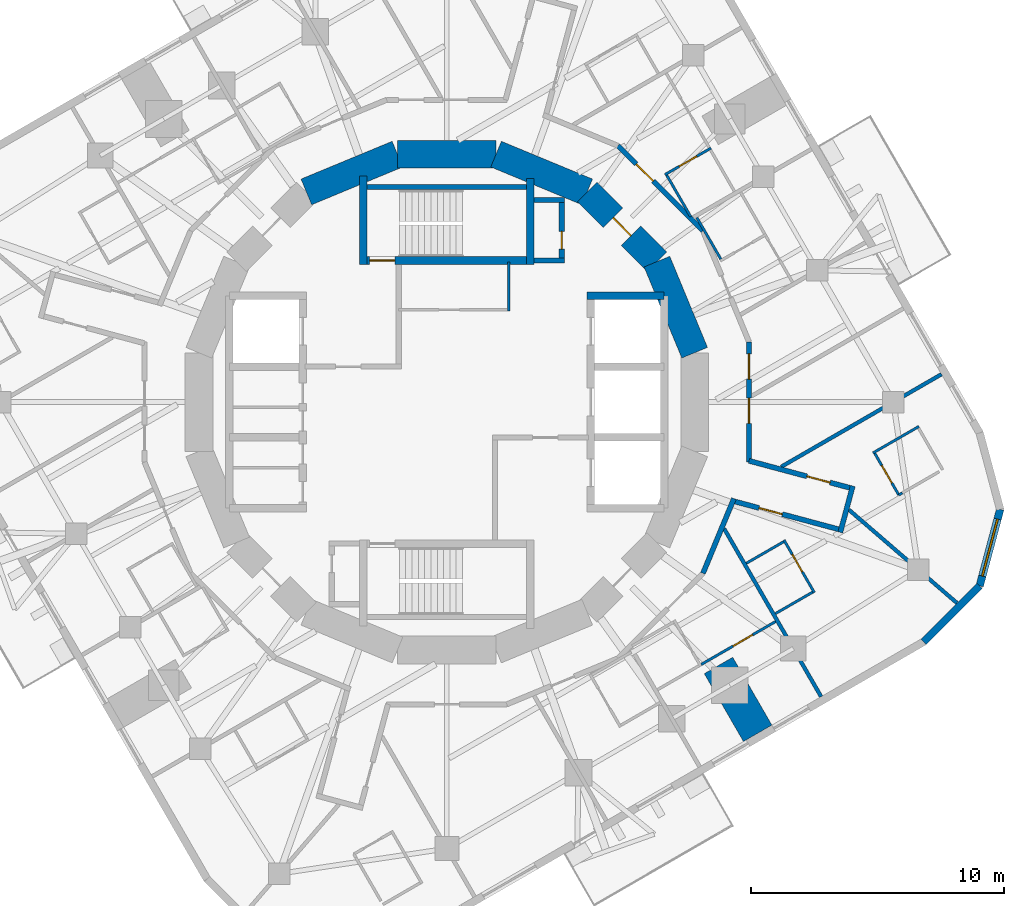
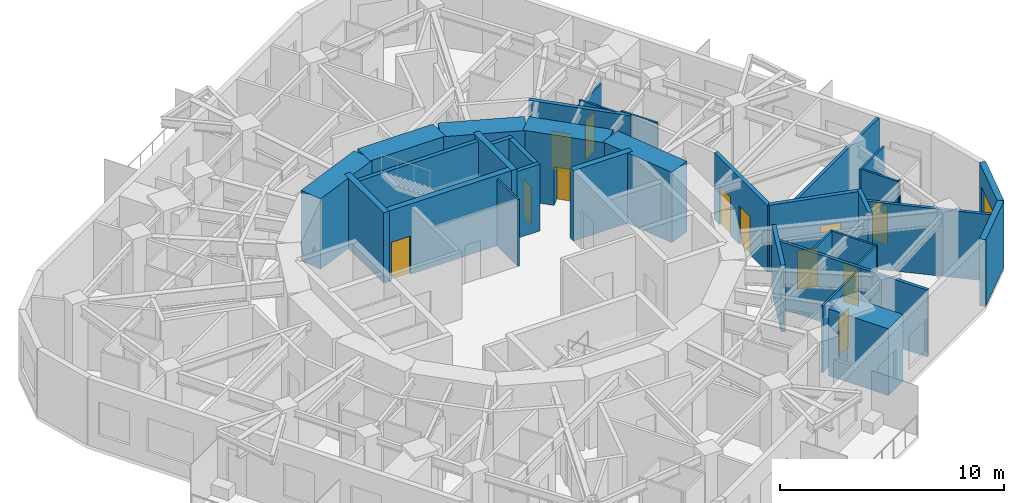
# One storey, part 7 of 11: 36 walls, 12 doors, 1 window, 13 openings.
"""IFC4 building model written with IfcOpenShell, lengths in metres."""

from ifc_helpers import new_model, si_unit, direction, frame, frame_2d, origin, place, context, subcontext, project, spatial, rectangle, extrude, material, layer, layer_set, type_object, element, fill, save


model = new_model("IFC4")

# Units and contexts
model_context = context("Model", 3, precision=1e-05, world=origin(), true_north=direction((0.0, 1.0)))
body_context = subcontext(model_context, "Body", "Model", "MODEL_VIEW")
ifc_project = project(units=[si_unit("LENGTHUNIT", "METRE"), si_unit("AREAUNIT", "SQUARE_METRE"), si_unit("VOLUMEUNIT", "CUBIC_METRE"), si_unit("PLANEANGLEUNIT", "RADIAN"), si_unit("MASSUNIT", "GRAM", prefix="KILO")], contexts=[model_context])

# Site, building, storey
site_placement = place(None, origin())
site = spatial("IfcSite", under=ifc_project, at=site_placement, CompositionType="ELEMENT")
building_placement = place(site_placement, origin())
building = spatial("IfcBuilding", under=site, at=building_placement, Name="Nakasero Lantern House", CompositionType="ELEMENT")
storey_placement = place(building_placement, frame((0.0, 0.0, 230.800048828125)))
storey = spatial("IfcBuildingStorey", under=building, at=storey_placement, Name="L56", CompositionType="ELEMENT", Elevation=230.800048828125)

# Walls
ifc_material_1 = material(Name="Blockwork", Category="masonry")
ifc_layer_1 = layer(ifc_material_1, 1.300048828125)
ifc_layer_set_1 = layer_set([ifc_layer_1], Name="Column pier 1300")
wall_type_1 = type_object("IfcWallType", Name="Column pier 1300", PredefinedType="PARTITIONING", material=ifc_layer_set_1)
wall_1_placement = place(storey_placement, frame((10.75048828125, -10.4208984375, 0.0), z_axis=(0.0, 0.0, 1.0), x_axis=(0.499933790963, -0.866063626216, 0.0)))
element("IfcWall", 1, at=wall_1_placement, inside=storey, type_object=wall_type_1, Name="Column pier L56 PN3-05", PredefinedType="PARTITIONING", context=body_context, shape_type="SweptSolid", body=[
    extrude(rectangle(XDim=3.10009765625, YDim=1.300048828125, at=frame_2d((1.550048828125, 0.0))), origin(), (0.0, 0.0, 1.0), 3.64990234375),
])
ifc_material_2 = material(Name="Concrete C50/60", Category="concrete")
ifc_layer_2 = layer(ifc_material_2, 0.300048828125)
ifc_layer_set_2 = layer_set([ifc_layer_2], Name="Core inner wall 300")
wall_type_2 = type_object("IfcWallType", Name="Core inner wall 300", PredefinedType="SHEAR", material=ifc_layer_set_2)
wall_2_placement = place(storey_placement, frame((5.550048828125, 4.199951171875, 0.0), z_axis=(0.0, 0.0, 1.0), x_axis=(1.0, 0.0, 0.0)))
element("IfcWall", 2, at=wall_2_placement, inside=storey, type_object=wall_type_2, Name="Core inner wall L56 LEN", PredefinedType="SHEAR", context=body_context, shape_type="SweptSolid", body=[
    extrude(rectangle(XDim=3.050048828125, YDim=0.300048828125, at=frame_2d((1.52490234375, 0.0))), origin(), (0.0, 0.0, 1.0), 3.849853515625),
])

# Wall, opening, door
wall_3_placement = place(storey_placement, frame((-3.449951171875, 5.60009765625, 0.0), z_axis=(0.0, 0.0, 1.0), x_axis=(1.0, 0.0, 0.0)))
wall_3 = element("IfcWall", 3, at=wall_3_placement, inside=storey, type_object=wall_type_2, Name="Core inner wall L56 SN", PredefinedType="SHEAR", context=body_context, shape_type="SweptSolid", body=[
    extrude(rectangle(XDim=6.89990234375, YDim=0.300048828125, at=frame_2d((3.449951171875, 0.0))), origin(), (0.0, 0.0, 1.0), 3.849853515625),
])
opening_1_placement = place(wall_3_placement, frame((0.39990234375, 0.0, 0.0)))
opening_1 = element("IfcOpeningElement", 4, at=opening_1_placement, cuts=wall_3, Name="Opening D05", PredefinedType="OPENING", context=body_context, shape_type="SweptSolid", body=[
    extrude(rectangle(XDim=1.0, YDim=2.10009765625, at=frame_2d((0.5, 1.050048828125))), frame((0.0, 0.169921875, 0.0), z_axis=(0.0, -1.0, 0.0), x_axis=(1.0, 0.0, 0.0)), (0.0, 0.0, 1.0), 0.340087890625),
])
ifc_material_3 = material(Name="Timber C24", Category="wood")
door_type_1 = type_object("IfcDoorType", Name="Core door FD60S 1000", OperationType="SINGLE_SWING_LEFT", PredefinedType="DOOR", material=ifc_material_3)
door_1_placement = place(opening_1_placement, origin())
door_1 = element("IfcDoor", 5, at=door_1_placement, inside=storey, type_object=door_type_1, Name="Door L56 D-ST1", OperationType="SINGLE_SWING_LEFT", OverallHeight=2.10009765625, OverallWidth=1.0, PredefinedType="DOOR", context=body_context, shape_type="SweptSolid", body=[
    extrude(rectangle(XDim=1.0, YDim=2.10009765625, at=frame_2d((0.5, 1.050048828125))), frame((0.0, 0.02490234375, 0.0), z_axis=(0.0, -1.0, 0.0), x_axis=(1.0, 0.0, 0.0)), (0.0, 0.0, 1.0), 0.050048828125),
])
fill(opening_1, door_1)

# Walls
wall_4_placement = place(storey_placement, frame((-3.300048828125, 5.449951171875, 0.0), z_axis=(0.0, 0.0, 1.0), x_axis=(0.0, 1.0, 0.0)))
element("IfcWall", 6, at=wall_4_placement, inside=storey, type_object=wall_type_2, Name="Core inner wall L56 SNW", PredefinedType="SHEAR", context=body_context, shape_type="SweptSolid", body=[
    extrude(rectangle(XDim=3.5, YDim=0.300048828125, at=frame_2d((1.75, 0.0))), origin(), (0.0, 0.0, 1.0), 3.849853515625),
])
wall_5_placement = place(storey_placement, frame((3.300048828125, 5.449951171875, 0.0), z_axis=(0.0, 0.0, 1.0), x_axis=(0.0, 1.0, 0.0)))
element("IfcWall", 7, at=wall_5_placement, inside=storey, type_object=wall_type_2, Name="Core inner wall L56 SNE", PredefinedType="SHEAR", context=body_context, shape_type="SweptSolid", body=[
    extrude(rectangle(XDim=3.400146484375, YDim=0.300048828125, at=frame_2d((1.7001953125, 0.0))), origin(), (0.0, 0.0, 1.0), 3.849853515625),
])
ifc_material_4 = material(Name="Blockwork", Category="masonry")
ifc_layer_3 = layer(ifc_material_4, 0.10009765625)
ifc_layer_set_3 = layer_set([ifc_layer_3], Name="Core room wall 100")
wall_type_3 = type_object("IfcWallType", Name="Core room wall 100", PredefinedType="PARTITIONING", material=ifc_layer_set_3)
wall_6_placement = place(storey_placement, frame((2.449951171875, 3.60009765625, 0.0), z_axis=(0.0, 0.0, 1.0), x_axis=(0.0, 1.0, 0.0)))
element("IfcWall", 8, at=wall_6_placement, inside=storey, type_object=wall_type_3, Name="Core room wall L56 CR-NEE", PredefinedType="PARTITIONING", context=body_context, shape_type="SweptSolid", body=[
    extrude(rectangle(XDim=1.949951171875, YDim=0.10009765625, at=frame_2d((0.97509765625, 0.0))), origin(), (0.0, 0.0, 1.0), 3.64990234375),
])
ifc_material_5 = material(Name="Concrete C50/60", Category="concrete")
ifc_layer_4 = layer(ifc_material_5, 1.10009765625)
ifc_layer_set_4 = layer_set([ifc_layer_4], Name="Core wall 1100")
wall_type_4 = type_object("IfcWallType", Name="Core wall 1100", PredefinedType="SHEAR", material=ifc_layer_set_4)
wall_7_placement = place(storey_placement, frame((9.807861328125, 1.950927734375, 0.0), z_axis=(0.0, 0.0, 1.0), x_axis=(-0.382690736062, 0.923876507187, 0.0)))
element("IfcWall", 9, at=wall_7_placement, inside=storey, type_object=wall_type_4, Name="Core wall L56 facet 1", PredefinedType="SHEAR", context=body_context, shape_type="SweptSolid", body=[
    extrude(rectangle(XDim=3.90185546875, YDim=1.10009765625, at=frame_2d((1.950927734375, 0.0))), origin(), (0.0, 0.0, 1.0), 3.849853515625),
])

# Wall, opening, door
wall_8_placement = place(storey_placement, frame((8.314697265625, 5.5556640625, 0.0), z_axis=(0.0, 0.0, 1.0), x_axis=(-0.707106781187, 0.707106781187, 0.0)))
wall_8 = element("IfcWall", 10, at=wall_8_placement, inside=storey, type_object=wall_type_4, Name="Core wall L56 facet 2", PredefinedType="SHEAR", context=body_context, shape_type="SweptSolid", body=[
    extrude(rectangle(XDim=3.90185546875, YDim=1.10009765625, at=frame_2d((1.950927734375, 0.0))), origin(), (0.0, 0.0, 1.0), 3.849853515625),
])
opening_2_placement = place(wall_8_placement, frame((1.450927734375, 0.0, 0.0)))
opening_2 = element("IfcOpeningElement", 11, at=opening_2_placement, cuts=wall_8, Name="Opening D05", PredefinedType="OPENING", context=body_context, shape_type="SweptSolid", body=[
    extrude(rectangle(XDim=1.0, YDim=2.10009765625, at=frame_2d((0.5, 1.050048828125))), frame((0.0, 0.570068359375, 0.0), z_axis=(0.0, -1.0, 0.0), x_axis=(1.0, 0.0, 0.0)), (0.0, 0.0, 1.0), 1.14013671875),
])
door_2_placement = place(opening_2_placement, origin())
door_2 = element("IfcDoor", 12, at=door_2_placement, inside=storey, type_object=door_type_1, Name="Door L56 D-CORE02", OperationType="SINGLE_SWING_LEFT", OverallHeight=2.10009765625, OverallWidth=1.0, PredefinedType="DOOR", context=body_context, shape_type="SweptSolid", body=[
    extrude(rectangle(XDim=1.0, YDim=2.10009765625, at=frame_2d((0.5, 1.050048828125))), frame((0.0, 0.02490234375, 0.0), z_axis=(0.0, -1.0, 0.0), x_axis=(1.0, 0.0, 0.0)), (0.0, 0.0, 1.0), 0.050048828125),
])
fill(opening_2, door_2)

# Walls
for number, where, z_axis, x_axis, name in (
    (13, (5.5556640625, 8.314697265625, 0.0), (0.0, 0.0, 1.0), (-0.923876507187, 0.382690736062, 0.0), "Core wall L56 facet 3"),
    (14, (1.950927734375, 9.807861328125, 0.0), (0.0, 0.0, 1.0), (-1.0, 0.0, 0.0), "Core wall L56 facet 4"),
    (15, (-1.950927734375, 9.807861328125, 0.0), (0.0, 0.0, 1.0), (-0.923876507187, -0.382690736062, 0.0), "Core wall L56 facet 5"),
):
    element("IfcWall", number, at=place(storey_placement, frame(where, z_axis=z_axis, x_axis=x_axis)), inside=storey, type_object=wall_type_4, Name=name, PredefinedType="SHEAR", context=body_context, shape_type="SweptSolid", body=[
        extrude(rectangle(XDim=3.90185546875, YDim=1.10009765625, at=frame_2d((1.950927734375, 0.0))), origin(), (0.0, 0.0, 1.0), 3.849853515625),
    ])

# Wall, openings, doors
ifc_material_6 = material(Name="Blockwork", Category="masonry")
ifc_layer_5 = layer(ifc_material_6, 0.199951171875)
ifc_layer_set_5 = layer_set([ifc_layer_5], Name="Corridor wall 200")
wall_type_5 = type_object("IfcWallType", Name="Corridor wall 200", PredefinedType="PARTITIONING", material=ifc_layer_set_5)
wall_9_placement = place(storey_placement, frame((11.957763671875, 2.378662109375, 0.0), z_axis=(0.0, 0.0, 1.0), x_axis=(0.0, -1.0, 0.0)))
wall_9 = element("IfcWall", 16, at=wall_9_placement, inside=storey, type_object=wall_type_5, Name="Corridor wall L56 RC00a", PredefinedType="PARTITIONING", context=body_context, shape_type="SweptSolid", body=[
    extrude(rectangle(XDim=4.75732421875, YDim=0.199951171875, at=frame_2d((2.378662109375, 0.0))), origin(), (0.0, 0.0, 1.0), 3.64990234375),
])
opening_3_placement = place(wall_9_placement, frame((2.219970703125, 0.0, 0.0)))
opening_3 = element("IfcOpeningElement", 17, at=opening_3_placement, cuts=wall_9, Name="Opening D03", PredefinedType="OPENING", context=body_context, shape_type="SweptSolid", body=[
    extrude(rectangle(XDim=1.0, YDim=2.10009765625, at=frame_2d((0.5, 1.050048828125))), frame((0.0, 0.119873046875, 0.0), z_axis=(0.0, -1.0, 0.0), x_axis=(1.0, 0.0, 0.0)), (0.0, 0.0, 1.0), 0.239990234375),
])
opening_4_placement = place(wall_9_placement, frame((0.469970703125, 0.0, 0.0)))
opening_4 = element("IfcOpeningElement", 18, at=opening_4_placement, cuts=wall_9, Name="Opening D03", PredefinedType="OPENING", context=body_context, shape_type="SweptSolid", body=[
    extrude(rectangle(XDim=1.0, YDim=2.10009765625, at=frame_2d((0.5, 1.050048828125))), frame((0.0, 0.119873046875, 0.0), z_axis=(0.0, -1.0, 0.0), x_axis=(1.0, 0.0, 0.0)), (0.0, 0.0, 1.0), 0.239990234375),
])
ifc_material_7 = material(Name="Timber C24", Category="wood")
door_type_2 = type_object("IfcDoorType", Name="Lounge door FD30S 1000", OperationType="SINGLE_SWING_LEFT", PredefinedType="DOOR", material=ifc_material_7)
door_3_placement = place(opening_3_placement, origin())
door_3 = element("IfcDoor", 19, at=door_3_placement, inside=storey, type_object=door_type_2, Name="Door L56 DK0", OperationType="SINGLE_SWING_RIGHT", OverallHeight=2.10009765625, OverallWidth=1.0, PredefinedType="DOOR", context=body_context, shape_type="SweptSolid", body=[
    extrude(rectangle(XDim=1.0, YDim=2.10009765625, at=frame_2d((0.5, 1.050048828125))), frame((0.0, 0.02490234375, 0.0), z_axis=(0.0, -1.0, 0.0), x_axis=(1.0, 0.0, 0.0)), (0.0, 0.0, 1.0), 0.050048828125),
])
fill(opening_3, door_3)
door_4_placement = place(opening_4_placement, origin())
door_4 = element("IfcDoor", 20, at=door_4_placement, inside=storey, type_object=door_type_2, Name="Door L56 DK0-1", OperationType="SINGLE_SWING_LEFT", OverallHeight=2.10009765625, OverallWidth=1.0, PredefinedType="DOOR", context=body_context, shape_type="SweptSolid", body=[
    extrude(rectangle(XDim=1.0, YDim=2.10009765625, at=frame_2d((0.5, 1.050048828125))), frame((0.0, 0.02490234375, 0.0), z_axis=(0.0, -1.0, 0.0), x_axis=(1.0, 0.0, 0.0)), (0.0, 0.0, 1.0), 0.050048828125),
])
fill(opening_4, door_4)

# Wall
wall_10_placement = place(storey_placement, frame((11.360595703125, -3.820556640625, 0.0), z_axis=(0.0, 0.0, 1.0), x_axis=(-0.382662097458, -0.923888369431, 0.0)))
element("IfcWall", 21, at=wall_10_placement, inside=storey, type_object=wall_type_5, Name="Corridor wall L56 RC01b", PredefinedType="PARTITIONING", context=body_context, shape_type="SweptSolid", body=[
    extrude(rectangle(XDim=3.1962890625, YDim=0.199951171875, at=frame_2d((1.59814453125, 0.0))), origin(), (0.0, 0.0, 1.0), 3.64990234375),
])

# Wall, opening, door
wall_11_placement = place(storey_placement, frame((6.773681640625, 10.137451171875, 0.0), z_axis=(0.0, 0.0, 1.0), x_axis=(0.707106781187, -0.707106781187, 0.0)))
wall_11 = element("IfcWall", 22, at=wall_11_placement, inside=storey, type_object=wall_type_5, Name="Corridor wall L56 RC14a", PredefinedType="PARTITIONING", context=body_context, shape_type="SweptSolid", body=[
    extrude(rectangle(XDim=4.757080078125, YDim=0.199951171875, at=frame_2d((2.37841796875, 0.0))), origin(), (0.0, 0.0, 1.0), 3.64990234375),
])
opening_5_placement = place(wall_11_placement, frame((1.02001953125, 0.0, 0.0)))
opening_5 = element("IfcOpeningElement", 23, at=opening_5_placement, cuts=wall_11, Name="Opening D01", PredefinedType="OPENING", context=body_context, shape_type="SweptSolid", body=[
    extrude(rectangle(XDim=0.949951171875, YDim=2.10009765625, at=frame_2d((0.47509765625, 1.050048828125))), frame((0.0, 0.119873046875, 0.0), z_axis=(0.0, -1.0, 0.0), x_axis=(1.0, 0.0, 0.0)), (0.0, 0.0, 1.0), 0.239990234375),
])
ifc_material_8 = material(Name="Timber C24", Category="wood")
door_type_3 = type_object("IfcDoorType", Name="Bedroom door FD30S 950", OperationType="SINGLE_SWING_LEFT", PredefinedType="DOOR", material=ifc_material_8)
door_5_placement = place(opening_5_placement, origin())
door_5 = element("IfcDoor", 24, at=door_5_placement, inside=storey, type_object=door_type_3, Name="Door L56 D0-04", OperationType="SINGLE_SWING_LEFT", OverallHeight=2.10009765625, OverallWidth=0.949951171875, PredefinedType="DOOR", context=body_context, shape_type="SweptSolid", body=[
    extrude(rectangle(XDim=0.949951171875, YDim=2.10009765625, at=frame_2d((0.47509765625, 1.050048828125))), frame((0.0, 0.02490234375, 0.0), z_axis=(0.0, -1.0, 0.0), x_axis=(1.0, 0.0, 0.0)), (0.0, 0.0, 1.0), 0.050048828125),
])
fill(opening_5, door_5)

wall_12_placement = place(storey_placement, frame((11.322021484375, -3.913818359375, 0.0), z_axis=(0.0, 0.0, 1.0), x_axis=(0.965936973474, -0.258777439659, 0.0)))
wall_12 = element("IfcWall", 25, at=wall_12_placement, inside=storey, type_object=wall_type_5, Name="Corridor wall L56 SP3a", PredefinedType="PARTITIONING", context=body_context, shape_type="SweptSolid", body=[
    extrude(rectangle(XDim=4.524658203125, YDim=0.199951171875, at=frame_2d((2.26220703125, 0.0))), origin(), (0.0, 0.0, 1.0), 2.809326171875),
])
opening_6_placement = place(wall_12_placement, frame((1.070068359375, 0.0, 0.0)))
opening_6 = element("IfcOpeningElement", 26, at=opening_6_placement, cuts=wall_12, Name="Opening D01", PredefinedType="OPENING", context=body_context, shape_type="SweptSolid", body=[
    extrude(rectangle(XDim=0.949951171875, YDim=2.10009765625, at=frame_2d((0.47509765625, 1.050048828125))), frame((0.0, 0.119873046875, 0.0), z_axis=(0.0, -1.0, 0.0), x_axis=(1.0, 0.0, 0.0)), (0.0, 0.0, 1.0), 0.239990234375),
])
door_6_placement = place(opening_6_placement, origin())
door_6 = element("IfcDoor", 27, at=door_6_placement, inside=storey, type_object=door_type_3, Name="Door L56 D3-06", OperationType="SINGLE_SWING_LEFT", OverallHeight=2.10009765625, OverallWidth=0.949951171875, PredefinedType="DOOR", context=body_context, shape_type="SweptSolid", body=[
    extrude(rectangle(XDim=0.949951171875, YDim=2.10009765625, at=frame_2d((0.47509765625, 1.050048828125))), frame((0.0, 0.02490234375, 0.0), z_axis=(0.0, -1.0, 0.0), x_axis=(1.0, 0.0, 0.0)), (0.0, 0.0, 1.0), 0.050048828125),
])
fill(opening_6, door_6)

wall_13_placement = place(storey_placement, frame((11.957763671875, -2.32421875, 0.0), z_axis=(0.0, 0.0, 1.0), x_axis=(0.965938975236, -0.258769967576, 0.0)))
wall_13 = element("IfcWall", 28, at=wall_13_placement, inside=storey, type_object=wall_type_5, Name="Corridor wall L56 SP3b", PredefinedType="PARTITIONING", context=body_context, shape_type="SweptSolid", body=[
    extrude(rectangle(XDim=4.322021484375, YDim=0.199951171875, at=frame_2d((2.1611328125, 0.0))), origin(), (0.0, 0.0, 1.0), 3.64990234375),
])
opening_7_placement = place(wall_13_placement, frame((2.3701171875, 0.0, 0.0)))
opening_7 = element("IfcOpeningElement", 29, at=opening_7_placement, cuts=wall_13, Name="Opening D01", PredefinedType="OPENING", context=body_context, shape_type="SweptSolid", body=[
    extrude(rectangle(XDim=0.949951171875, YDim=2.10009765625, at=frame_2d((0.47509765625, 1.050048828125))), frame((0.0, 0.119873046875, 0.0), z_axis=(0.0, -1.0, 0.0), x_axis=(1.0, 0.0, 0.0)), (0.0, 0.0, 1.0), 0.239990234375),
])
door_7_placement = place(opening_7_placement, origin())
door_7 = element("IfcDoor", 30, at=door_7_placement, inside=storey, type_object=door_type_3, Name="Door L56 D0-00", OperationType="SINGLE_SWING_RIGHT", OverallHeight=2.10009765625, OverallWidth=0.949951171875, PredefinedType="DOOR", context=body_context, shape_type="SweptSolid", body=[
    extrude(rectangle(XDim=0.949951171875, YDim=2.10009765625, at=frame_2d((0.47509765625, 1.050048828125))), frame((0.0, 0.02490234375, 0.0), z_axis=(0.0, -1.0, 0.0), x_axis=(1.0, 0.0, 0.0)), (0.0, 0.0, 1.0), 0.050048828125),
])
fill(opening_7, door_7)

# Walls
wall_14_placement = place(storey_placement, frame((15.570068359375, -5.155517578125, 0.0), z_axis=(0.0, 0.0, 1.0), x_axis=(0.258798174346, 0.96593141835, 0.0)))
element("IfcWall", 31, at=wall_14_placement, inside=storey, type_object=wall_type_5, Name="Corridor wall L56 SP3e", PredefinedType="PARTITIONING", context=body_context, shape_type="SweptSolid", body=[
    extrude(rectangle(XDim=1.89990234375, YDim=0.199951171875, at=frame_2d((0.949951171875, 0.0))), origin(), (0.0, 0.0, 1.0), 3.64990234375),
])
ifc_material_9 = material(Name="Blockwork", Category="masonry")
ifc_layer_6 = layer(ifc_material_9, 0.10009765625)
ifc_layer_set_6 = layer_set([ifc_layer_6], Name="En-suite wall 100")
wall_type_6 = type_object("IfcWallType", Name="En-suite wall 100", PredefinedType="PARTITIONING", material=ifc_layer_set_6)
wall_15_placement = place(storey_placement, frame((16.865478515625, -2.01171875, 0.0), z_axis=(0.0, 0.0, 1.0), x_axis=(0.866059744384, 0.49994051562, 0.0)))
element("IfcWall", 32, at=wall_15_placement, inside=storey, type_object=wall_type_6, Name="En-suite wall L56 ES0-00", PredefinedType="PARTITIONING", context=body_context, shape_type="SweptSolid", body=[
    extrude(rectangle(XDim=2.099853515625, YDim=0.10009765625, at=frame_2d((1.0498046875, 0.0))), origin(), (0.0, 0.0, 1.0), 3.64990234375),
])

# Wall, opening, door
wall_16_placement = place(storey_placement, frame((17.8837890625, -3.675537109375, 0.0), z_axis=(0.0, 0.0, 1.0), x_axis=(-0.499967155389, 0.866044365799, 0.0)))
wall_16 = element("IfcWall", 33, at=wall_16_placement, inside=storey, type_object=wall_type_6, Name="En-suite wall L56 EI0-00", PredefinedType="PARTITIONING", context=body_context, shape_type="SweptSolid", body=[
    extrude(rectangle(XDim=1.900146484375, YDim=0.10009765625, at=frame_2d((0.9501953125, 0.0))), origin(), (0.0, 0.0, 1.0), 3.64990234375),
])
opening_8_placement = place(wall_16_placement, frame((0.550048828125, 0.0, 0.0)))
opening_8 = element("IfcOpeningElement", 34, at=opening_8_placement, cuts=wall_16, Name="Opening D02", PredefinedType="OPENING", context=body_context, shape_type="SweptSolid", body=[
    extrude(rectangle(XDim=0.800048828125, YDim=2.10009765625, at=frame_2d((0.39990234375, 1.050048828125))), frame((0.0, 0.070068359375, 0.0), z_axis=(0.0, -1.0, 0.0), x_axis=(1.0, 0.0, 0.0)), (0.0, 0.0, 1.0), 0.14013671875),
])
ifc_material_10 = material(Name="Timber C24", Category="wood")
door_type_4 = type_object("IfcDoorType", Name="En-suite door 800", OperationType="SINGLE_SWING_RIGHT", PredefinedType="DOOR", material=ifc_material_10)
door_8_placement = place(opening_8_placement, origin())
door_8 = element("IfcDoor", 35, at=door_8_placement, inside=storey, type_object=door_type_4, Name="Door L56 DE0-00", OperationType="SINGLE_SWING_RIGHT", OverallHeight=2.10009765625, OverallWidth=0.800048828125, PredefinedType="DOOR", context=body_context, shape_type="SweptSolid", body=[
    extrude(rectangle(XDim=0.800048828125, YDim=2.10009765625, at=frame_2d((0.39990234375, 1.050048828125))), frame((0.0, 0.02490234375, 0.0), z_axis=(0.0, -1.0, 0.0), x_axis=(1.0, 0.0, 0.0)), (0.0, 0.0, 1.0), 0.050048828125),
])
fill(opening_8, door_8)

# Wall
wall_17_placement = place(storey_placement, frame((10.843017578125, 5.655029296875, 0.0), z_axis=(0.0, 0.0, 1.0), x_axis=(-0.499967155389, 0.866044365799, 0.0)))
element("IfcWall", 36, at=wall_17_placement, inside=storey, type_object=wall_type_6, Name="En-suite wall L56 EI0-03", PredefinedType="PARTITIONING", context=body_context, shape_type="SweptSolid", body=[
    extrude(rectangle(XDim=1.900146484375, YDim=0.10009765625, at=frame_2d((0.9501953125, 0.0))), origin(), (0.0, 0.0, 1.0), 3.64990234375),
])

# Wall, opening, door
wall_18_placement = place(storey_placement, frame((8.632080078125, 8.997314453125, 0.0), z_axis=(0.0, 0.0, 1.0), x_axis=(0.866038466041, 0.499977374825, 0.0)))
wall_18 = element("IfcWall", 37, at=wall_18_placement, inside=storey, type_object=wall_type_6, Name="En-suite wall L56 ES0-04", PredefinedType="PARTITIONING", context=body_context, shape_type="SweptSolid", body=[
    extrude(rectangle(XDim=2.10009765625, YDim=0.10009765625, at=frame_2d((1.050048828125, 0.0))), origin(), (0.0, 0.0, 1.0), 3.294921875),
])
opening_9_placement = place(wall_18_placement, frame((0.64990234375, 0.0, 0.0)))
opening_9 = element("IfcOpeningElement", 38, at=opening_9_placement, cuts=wall_18, Name="Opening D02", PredefinedType="OPENING", context=body_context, shape_type="SweptSolid", body=[
    extrude(rectangle(XDim=0.800048828125, YDim=2.10009765625, at=frame_2d((0.39990234375, 1.050048828125))), frame((0.0, 0.070068359375, 0.0), z_axis=(0.0, -1.0, 0.0), x_axis=(1.0, 0.0, 0.0)), (0.0, 0.0, 1.0), 0.14013671875),
])
door_9_placement = place(opening_9_placement, origin())
door_9 = element("IfcDoor", 39, at=door_9_placement, inside=storey, type_object=door_type_4, Name="Door L56 DE0-04", OperationType="SINGLE_SWING_RIGHT", OverallHeight=2.10009765625, OverallWidth=0.800048828125, PredefinedType="DOOR", context=body_context, shape_type="SweptSolid", body=[
    extrude(rectangle(XDim=0.800048828125, YDim=2.10009765625, at=frame_2d((0.39990234375, 1.050048828125))), frame((0.0, 0.02490234375, 0.0), z_axis=(0.0, -1.0, 0.0), x_axis=(1.0, 0.0, 0.0)), (0.0, 0.0, 1.0), 0.050048828125),
])
fill(opening_9, door_9)

# Wall
wall_19_placement = place(storey_placement, frame((9.650390625, 7.333740234375, 0.0), z_axis=(0.0, 0.0, 1.0), x_axis=(-0.500022797313, 0.86601224135, 0.0)))
element("IfcWall", 40, at=wall_19_placement, inside=storey, type_object=wall_type_6, Name="En-suite wall L56 EI0-04", PredefinedType="PARTITIONING", context=body_context, shape_type="SweptSolid", body=[
    extrude(rectangle(XDim=1.89990234375, YDim=0.10009765625, at=frame_2d((0.949951171875, 0.0))), origin(), (0.0, 0.0, 1.0), 3.64990234375),
])

# Wall, opening, door
wall_20_placement = place(storey_placement, frame((13.342041015625, -5.46044921875, 0.0), z_axis=(0.0, 0.0, 1.0), x_axis=(0.500033551112, -0.866006032174, 0.0)))
wall_20 = element("IfcWall", 41, at=wall_20_placement, inside=storey, type_object=wall_type_6, Name="En-suite wall L56 ES3-06", PredefinedType="PARTITIONING", context=body_context, shape_type="SweptSolid", body=[
    extrude(rectangle(XDim=2.400146484375, YDim=0.10009765625, at=frame_2d((1.2001953125, 0.0))), origin(), (0.0, 0.0, 1.0), 3.64990234375),
])
opening_10_placement = place(wall_20_placement, frame((0.64990234375, 0.0, 0.0)))
opening_10 = element("IfcOpeningElement", 42, at=opening_10_placement, cuts=wall_20, Name="Opening D02", PredefinedType="OPENING", context=body_context, shape_type="SweptSolid", body=[
    extrude(rectangle(XDim=0.800048828125, YDim=2.10009765625, at=frame_2d((0.39990234375, 1.050048828125))), frame((0.0, 0.070068359375, 0.0), z_axis=(0.0, -1.0, 0.0), x_axis=(1.0, 0.0, 0.0)), (0.0, 0.0, 1.0), 0.14013671875),
])
door_10_placement = place(opening_10_placement, origin())
door_10 = element("IfcDoor", 43, at=door_10_placement, inside=storey, type_object=door_type_4, Name="Door L56 DE3-06", OperationType="SINGLE_SWING_LEFT", OverallHeight=2.10009765625, OverallWidth=0.800048828125, PredefinedType="DOOR", context=body_context, shape_type="SweptSolid", body=[
    extrude(rectangle(XDim=0.800048828125, YDim=2.10009765625, at=frame_2d((0.39990234375, 1.050048828125))), frame((0.0, 0.02490234375, 0.0), z_axis=(0.0, -1.0, 0.0), x_axis=(1.0, 0.0, 0.0)), (0.0, 0.0, 1.0), 0.050048828125),
])
fill(opening_10, door_10)

# Walls
for number, where, z_axis, x_axis, name in (
    (44, (13.001708984375, -8.37060546875, 0.0), (0.0, 0.0, 1.0), (0.86605165483, 0.499954529098, 0.0), "En-suite wall L56 EE3-06"),
    (45, (11.8515625, -6.37890625, 0.0), (0.0, 0.0, 1.0), (0.865989465428, 0.500062241894, 0.0), "En-suite wall L56 EI3-06"),
):
    element("IfcWall", number, at=place(storey_placement, frame(where, z_axis=z_axis, x_axis=x_axis)), inside=storey, type_object=wall_type_6, Name=name, PredefinedType="PARTITIONING", context=body_context, shape_type="SweptSolid", body=[
        extrude(rectangle(XDim=1.699951171875, YDim=0.10009765625, at=frame_2d((0.85009765625, 0.0))), origin(), (0.0, 0.0, 1.0), 3.64990234375),
    ])

# Wall, opening, door
wall_21_placement = place(storey_placement, frame((10.065673828125, -10.382568359375, 0.0), z_axis=(0.0, 0.0, 1.0), x_axis=(0.866024081565, 0.500002290144, 0.0)))
wall_21 = element("IfcWall", 46, at=wall_21_placement, inside=storey, type_object=wall_type_6, Name="En-suite wall L56 EL3-04", PredefinedType="PARTITIONING", context=body_context, shape_type="SweptSolid", body=[
    extrude(rectangle(XDim=3.3984375, YDim=0.10009765625, at=frame_2d((1.69921875, 0.0))), origin(), (0.0, 0.0, 1.0), 3.64990234375),
])
opening_11_placement = place(wall_21_placement, frame((1.449951171875, 0.0, 0.0)))
opening_11 = element("IfcOpeningElement", 47, at=opening_11_placement, cuts=wall_21, Name="Opening D17", PredefinedType="OPENING", context=body_context, shape_type="SweptSolid", body=[
    extrude(rectangle(XDim=0.89990234375, YDim=2.10009765625, at=frame_2d((0.449951171875, 1.050048828125))), frame((0.0, 0.070068359375, 0.0), z_axis=(0.0, -1.0, 0.0), x_axis=(1.0, 0.0, 0.0)), (0.0, 0.0, 1.0), 0.14013671875),
])
ifc_material_11 = material(Name="Timber C24", Category="wood")
door_type_5 = type_object("IfcDoorType", Name="Bedroom door FD30S 900", OperationType="SINGLE_SWING_LEFT", PredefinedType="DOOR", material=ifc_material_11)
door_11_placement = place(opening_11_placement, origin())
door_11 = element("IfcDoor", 48, at=door_11_placement, inside=storey, type_object=door_type_5, Name="Door L56 DL3-04", OperationType="SINGLE_SWING_RIGHT", OverallHeight=2.10009765625, OverallWidth=0.89990234375, PredefinedType="DOOR", context=body_context, shape_type="SweptSolid", body=[
    extrude(rectangle(XDim=0.89990234375, YDim=2.10009765625, at=frame_2d((0.449951171875, 1.050048828125))), frame((0.0, 0.02490234375, 0.0), z_axis=(0.0, -1.0, 0.0), x_axis=(1.0, 0.0, 0.0)), (0.0, 0.0, 1.0), 0.050048828125),
])
fill(opening_11, door_11)

# Walls
wall_22_placement = place(storey_placement, frame((17.8837890625, -3.675537109375, 0.0), z_axis=(0.0, 0.0, 1.0), x_axis=(0.865600433939, 0.500735348028, 0.0)))
element("IfcWall", 49, at=wall_22_placement, inside=storey, type_object=wall_type_6, Name="En-suite wall L56 EI0-00R0", PredefinedType="PARTITIONING", context=body_context, shape_type="SweptSolid", body=[
    extrude(rectangle(XDim=0.159912109375, YDim=0.10009765625, at=frame_2d((0.080078125, 0.0))), origin(), (0.0, 0.0, 1.0), 3.64990234375),
])
ifc_material_12 = material(Name="Aluminium rainscreen on blockwork", Category="masonry")
ifc_layer_7 = layer(ifc_material_12, 0.300048828125)
ifc_layer_set_7 = layer_set([ifc_layer_7], Name="Facade wall 300")
wall_type_7 = type_object("IfcWallType", Name="Facade wall 300", PredefinedType="SOLIDWALL", material=ifc_layer_set_7)
wall_23_placement = place(storey_placement, frame((18.870849609375, -9.4853515625, 0.0), z_axis=(0.0, 0.0, 1.0), x_axis=(0.707145758492, 0.707067801733, 0.0)))
element("IfcWall", 50, at=wall_23_placement, inside=storey, type_object=wall_type_7, Name="Facade wall L56 FW3C1", PredefinedType="SOLIDWALL", context=body_context, shape_type="SweptSolid", body=[
    extrude(rectangle(XDim=3.1318359375, YDim=0.300048828125, at=frame_2d((1.56591796875, 0.0))), origin(), (0.0, 0.0, 1.0), 3.64990234375),
])

# Wall, opening, window
wall_24_placement = place(storey_placement, frame((21.08544921875, -7.27099609375, 0.0), z_axis=(0.0, 0.0, 1.0), x_axis=(0.258807521156, 0.965928914048, 0.0)))
wall_24 = element("IfcWall", 51, at=wall_24_placement, inside=storey, type_object=wall_type_7, Name="Facade wall L56 FW3C2", PredefinedType="SOLIDWALL", context=body_context, shape_type="SweptSolid", body=[
    extrude(rectangle(XDim=3.1318359375, YDim=0.300048828125, at=frame_2d((1.56591796875, 0.0))), origin(), (0.0, 0.0, 1.0), 3.64990234375),
])
opening_12_placement = place(wall_24_placement, frame((0.39990234375, 0.0, 0.75)))
opening_12 = element("IfcOpeningElement", 52, at=opening_12_placement, cuts=wall_24, Name="Opening W223", PredefinedType="OPENING", context=body_context, shape_type="SweptSolid", body=[
    extrude(rectangle(XDim=2.33203125, YDim=1.800048828125, at=frame_2d((1.166015625, 0.89990234375))), frame((0.0, 0.169921875, 0.0), z_axis=(0.0, -1.0, 0.0), x_axis=(1.0, 0.0, 0.0)), (0.0, 0.0, 1.0), 0.340087890625),
])
ifc_material_13 = material(Name="Aluminium 6063-T6 and glass", Category="aluminium")
window_type = type_object("IfcWindowType", Name="Corner window 2332x1800", PartitioningType="SINGLE_PANEL", PredefinedType="WINDOW", material=ifc_material_13)
window_placement = place(opening_12_placement, origin())
window = element("IfcWindow", 53, at=window_placement, inside=storey, type_object=window_type, Name="Window L56 WC3", OverallHeight=1.800048828125, OverallWidth=2.33203125, PartitioningType="SINGLE_PANEL", PredefinedType="WINDOW", context=body_context, shape_type="SweptSolid", body=[
    extrude(rectangle(XDim=2.33203125, YDim=1.800048828125, at=frame_2d((1.166015625, 0.89990234375))), frame((0.0, 0.030029296875, 0.0), z_axis=(0.0, -1.0, 0.0), x_axis=(1.0, 0.0, 0.0)), (0.0, 0.0, 1.0), 0.06005859375),
])
fill(opening_12, window)

# Wall, opening, door
ifc_material_14 = material(Name="Blockwork", Category="masonry")
ifc_layer_8 = layer(ifc_material_14, 0.199951171875)
ifc_layer_set_8 = layer_set([ifc_layer_8], Name="Fire lobby wall 200")
wall_type_8 = type_object("IfcWallType", Name="Fire lobby wall 200", PredefinedType="PARTITIONING", material=ifc_layer_set_8)
wall_25_placement = place(storey_placement, frame((4.550048828125, 5.60009765625, 0.0), z_axis=(0.0, 0.0, 1.0), x_axis=(0.0, 1.0, 0.0)))
wall_25 = element("IfcWall", 54, at=wall_25_placement, inside=storey, type_object=wall_type_8, Name="Fire lobby wall L56 W-RS1E", PredefinedType="PARTITIONING", context=body_context, shape_type="SweptSolid", body=[
    extrude(rectangle(XDim=2.39990234375, YDim=0.199951171875, at=frame_2d((1.199951171875, 0.0))), origin(), (0.0, 0.0, 1.0), 3.64990234375),
])
opening_13_placement = place(wall_25_placement, frame((0.449951171875, 0.0, 0.0)))
opening_13 = element("IfcOpeningElement", 55, at=opening_13_placement, cuts=wall_25, Name="Opening D06", PredefinedType="OPENING", context=body_context, shape_type="SweptSolid", body=[
    extrude(rectangle(XDim=0.699951171875, YDim=2.10009765625, at=frame_2d((0.35009765625, 1.050048828125))), frame((0.0, 0.119873046875, 0.0), z_axis=(0.0, -1.0, 0.0), x_axis=(1.0, 0.0, 0.0)), (0.0, 0.0, 1.0), 0.239990234375),
])
ifc_material_15 = material(Name="Steel S355", Category="steel")
door_type_6 = type_object("IfcDoorType", Name="Riser door FD60 700", OperationType="SINGLE_SWING_LEFT", PredefinedType="DOOR", material=ifc_material_15)
door_12_placement = place(opening_13_placement, origin())
door_12 = element("IfcDoor", 56, at=door_12_placement, inside=storey, type_object=door_type_6, Name="Door L56 D-RS1", OperationType="SINGLE_SWING_LEFT", OverallHeight=2.10009765625, OverallWidth=0.699951171875, PredefinedType="DOOR", context=body_context, shape_type="SweptSolid", body=[
    extrude(rectangle(XDim=0.699951171875, YDim=2.10009765625, at=frame_2d((0.35009765625, 1.050048828125))), frame((0.0, 0.02490234375, 0.0), z_axis=(0.0, -1.0, 0.0), x_axis=(1.0, 0.0, 0.0)), (0.0, 0.0, 1.0), 0.050048828125),
])
fill(opening_13, door_12)

# Walls
for number, where, z_axis, x_axis, name in (
    (57, (3.449951171875, 8.0, 0.0), (0.0, 0.0, 1.0), (1.0, 0.0, 0.0), "Fire lobby wall L56 W-RS1N"),
    (58, (3.449951171875, 5.60009765625, 0.0), (0.0, 0.0, 1.0), (1.0, 0.0, 0.0), "Fire lobby wall L56 W-RS1S"),
):
    element("IfcWall", number, at=place(storey_placement, frame(where, z_axis=z_axis, x_axis=x_axis)), inside=storey, type_object=wall_type_8, Name=name, PredefinedType="PARTITIONING", context=body_context, shape_type="SweptSolid", body=[
        extrude(rectangle(XDim=1.199951171875, YDim=0.199951171875, at=frame_2d((0.60009765625, 0.0))), origin(), (0.0, 0.0, 1.0), 3.64990234375),
    ])
wall_26_placement = place(storey_placement, frame((-3.300048828125, 8.5, 0.0), z_axis=(0.0, 0.0, 1.0), x_axis=(1.0, 0.0, 0.0)))
element("IfcWall", 59, at=wall_26_placement, inside=storey, type_object=wall_type_8, Name="Fire lobby wall L56 W-STN", PredefinedType="PARTITIONING", context=body_context, shape_type="SweptSolid", body=[
    extrude(rectangle(XDim=6.60009765625, YDim=0.199951171875, at=frame_2d((3.300048828125, 0.0))), origin(), (0.0, 0.0, 1.0), 3.64990234375),
])
ifc_material_16 = material(Name="Blockwork", Category="masonry")
ifc_layer_9 = layer(ifc_material_16, 0.14990234375)
ifc_layer_set_9 = layer_set([ifc_layer_9], Name="Party wall 150")
wall_type_9 = type_object("IfcWallType", Name="Party wall 150", PredefinedType="PARTITIONING", material=ifc_layer_set_9)
wall_27_placement = place(storey_placement, frame((13.230224609375, -2.5615234375, 0.0), z_axis=(0.0, 0.0, 1.0), x_axis=(0.866022919989, 0.500004302036, 0.0)))
element("IfcWall", 60, at=wall_27_placement, inside=storey, type_object=wall_type_9, Name="Party wall L56 PW0-01", PredefinedType="PARTITIONING", context=body_context, shape_type="SweptSolid", body=[
    extrude(rectangle(XDim=7.3232421875, YDim=0.14990234375, at=frame_2d((3.66162109375, 0.0))), origin(), (0.0, 0.0, 1.0), 3.64990234375),
])
wall_28_placement = place(storey_placement, frame((10.9755859375, -5.011474609375, 0.0), z_axis=(0.0, 0.0, 1.0), x_axis=(0.499985976588, -0.866033500054, 0.0)))
element("IfcWall", 61, at=wall_28_placement, inside=storey, type_object=wall_type_9, Name="Party wall L56 PW3-06", PredefinedType="PARTITIONING", context=body_context, shape_type="SweptSolid", body=[
    extrude(rectangle(XDim=7.672119140625, YDim=0.14990234375, at=frame_2d((3.8359375, 0.0))), origin(), (0.0, 0.0, 1.0), 3.64990234375),
])
wall_29_placement = place(storey_placement, frame((15.91259765625, -4.263671875, 0.0), z_axis=(0.0, 0.0, 1.0), x_axis=(0.75716427978, -0.653224504612, 0.0)))
element("IfcWall", 62, at=wall_29_placement, inside=storey, type_object=wall_type_9, Name="Party wall L56 PW0-00", PredefinedType="PARTITIONING", context=body_context, shape_type="SweptSolid", body=[
    extrude(rectangle(XDim=5.644287109375, YDim=0.14990234375, at=frame_2d((2.822265625, 0.0))), origin(), (0.0, 0.0, 1.0), 3.64990234375),
])

save(model, "model.ifc")
